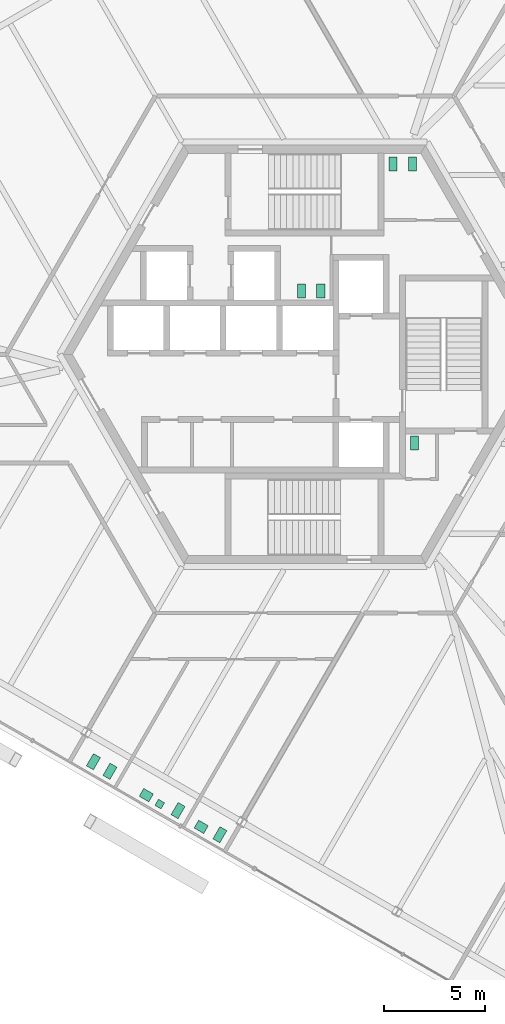
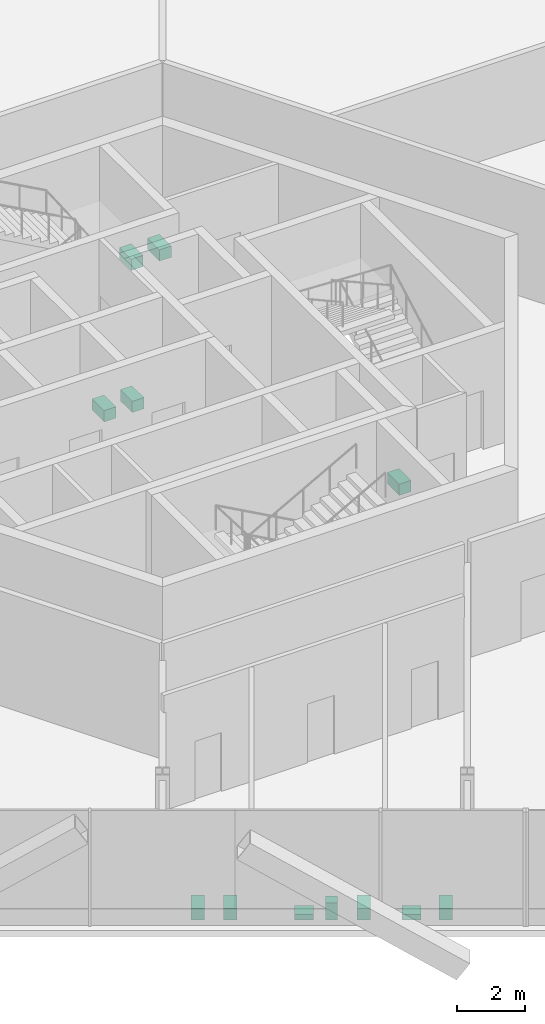
# One storey, part 15 of 15: 12 sanitary terminals.
"""IFC4 building model written with IfcOpenShell, lengths in metres."""

from ifc_helpers import new_model, si_unit, direction, frame, origin, origin_2d, place, context, subcontext, project, spatial, rectangle, extrude, source, transform, mapped, material, element, save


model = new_model("IFC4")

# Units and contexts
model_context = context("Model", 3, precision=1e-05, world=origin(), true_north=direction((0.0, 1.0)))
body_context = subcontext(model_context, "Body", "Model", "MODEL_VIEW")
ifc_project = project(units=[si_unit("LENGTHUNIT", "METRE"), si_unit("AREAUNIT", "SQUARE_METRE"), si_unit("VOLUMEUNIT", "CUBIC_METRE"), si_unit("PLANEANGLEUNIT", "RADIAN"), si_unit("MASSUNIT", "GRAM", prefix="KILO")], contexts=[model_context])

# Site, building, storey
site_placement = place(None, origin())
site = spatial("IfcSite", under=ifc_project, at=site_placement, CompositionType="ELEMENT")
building_placement = place(site_placement, origin())
building = spatial("IfcBuilding", under=site, at=building_placement, Name="Triune Harvest Tower", CompositionType="ELEMENT")
storey_placement = place(building_placement, frame((0.0, 0.0, 28.89990234375)))
storey = spatial("IfcBuildingStorey", under=building, at=storey_placement, Name="L06", CompositionType="ELEMENT", Elevation=28.89990234375)

# Sanitary terminals
ifc_material = material(Name="Vitreous china")
shared_shape_1 = source(origin(), body_context, "Body", "SweptSolid", [
    extrude(rectangle(XDim=0.39990234375, YDim=0.699951171875, at=origin_2d()), origin(), (0.0, 0.0, 1.0), 0.39990234375),
])
for number, where, z_axis, x_axis, name in (
    (1, (4.39990234375, 9.449951171875, 0.000244140625), (0.0, 0.0, 1.0), (1.0, 0.0, 0.0), "Toilet pan L06.c01"),
    (2, (5.35009765625, 9.449951171875, 0.000244140625), (0.0, 0.0, 1.0), (1.0, 0.0, 0.0), "Toilet pan L06.c02"),
    (3, (0.800048828125, 3.159912109375, 0.000244140625), (0.0, 0.0, 1.0), (-1.0, 0.0, 0.0), "Toilet pan L06.c03"),
    (4, (-0.14990234375, 3.159912109375, 0.000244140625), (0.0, 0.0, 1.0), (-1.0, 0.0, 0.0), "Toilet pan L06.c04"),
    (5, (5.449951171875, -4.39990234375, 0.000244140625), (0.0, 0.0, 1.0), (1.0, 0.0, 0.0), "Toilet pan L06.c05"),
    (6, (-9.671875, -20.7099609375, 0.000244140625), (0.0, 0.0, 1.0), (-0.866042856549, 0.499969769706, 0.0), "Toilet pan 01"),
    (7, (-10.49462890625, -20.235107421875, 0.000244140625), (0.0, 0.0, 1.0), (-0.866042856549, 0.499969769706, 0.0), "Toilet pan 02"),
    (8, (-6.289306640625, -22.6630859375, 0.000244140625), (0.0, 0.0, 1.0), (-0.866034130299, 0.499984884929, 0.0), "Toilet pan 03"),
    (9, (-4.210693359375, -23.863037109375, 0.000244140625), (0.0, 0.0, 1.0), (-0.866016677006, 0.500015114919, 0.0), "Toilet pan 06"),
):
    element("IfcSanitaryTerminal", number, at=place(storey_placement, frame(where, z_axis=z_axis, x_axis=x_axis)), inside=storey, material=ifc_material, Name=name, PredefinedType="TOILETPAN", context=body_context, shape_type="MappedRepresentation", body=[
        mapped(shared_shape_1, transform((0.0, 0.0, 0.0), scale=1.0)),
    ])
shared_shape_2 = source(origin(), body_context, "Body", "SweptSolid", [
    extrude(rectangle(XDim=0.35009765625, YDim=0.35009765625, at=origin_2d()), origin(), (0.0, 0.0, 1.0), 0.60009765625),
])
sanitary_terminal_placement = place(storey_placement, frame((-7.199462890625, -22.339599609375, 0.0), z_axis=(0.0, 0.0, 1.0), x_axis=(-0.866034130299, 0.499984884929, 0.0)))
element("IfcSanitaryTerminal", 10, at=sanitary_terminal_placement, inside=storey, material=ifc_material, Name="Urinal 04", PredefinedType="URINAL", context=body_context, shape_type="MappedRepresentation", body=[
    mapped(shared_shape_2, transform((0.0, 0.0, 0.0), scale=1.0)),
])
shared_shape_3 = source(origin(), body_context, "Body", "SweptSolid", [
    extrude(rectangle(XDim=0.550048828125, YDim=0.449951171875, at=origin_2d()), origin(), (0.0, 0.0, 1.0), 0.199951171875),
])
for number, where, z_axis, x_axis, name in (
    (11, (-7.8671875, -21.896240234375, 0.0), (0.0, 0.0, 1.0), (-0.866034130299, 0.499984884929, 0.0), "Wash basin 05"),
    (12, (-5.13916015625, -23.47119140625, 0.0), (0.0, 0.0, 1.0), (-0.866016677006, 0.500015114919, 0.0), "Wash basin 07"),
):
    element("IfcSanitaryTerminal", number, at=place(storey_placement, frame(where, z_axis=z_axis, x_axis=x_axis)), inside=storey, material=ifc_material, Name=name, PredefinedType="WASHHANDBASIN", context=body_context, shape_type="MappedRepresentation", body=[
        mapped(shared_shape_3, transform((0.0, 0.0, 0.0), scale=1.0)),
    ])

save(model, "model.ifc")
